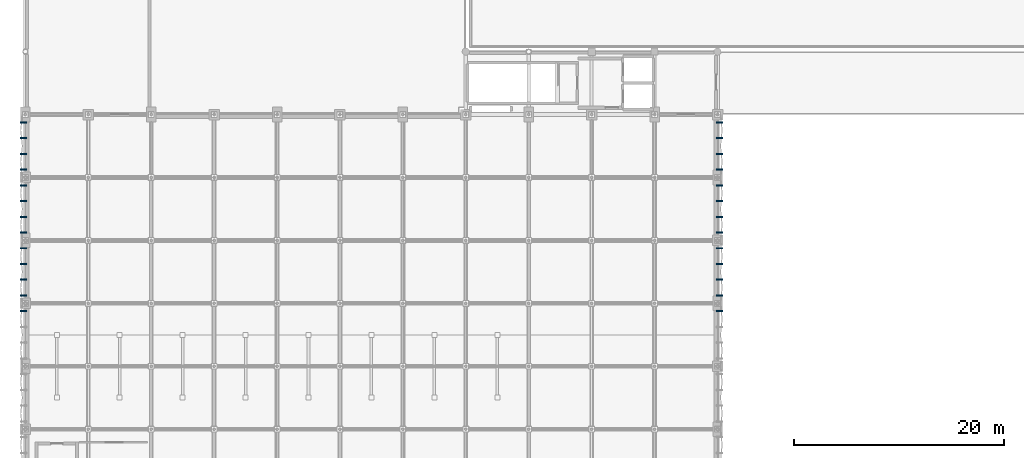
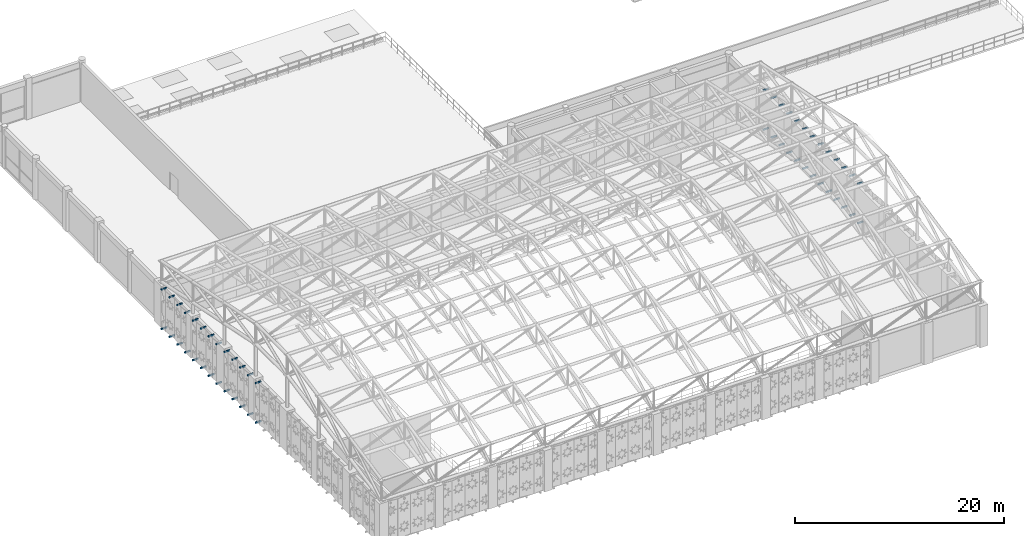
# One storey, part 104 of 112: 52 discrete accessories.
"""IFC4 building model written with IfcOpenShell, lengths in metres."""

from ifc_helpers import new_model, si_unit, direction, frame, origin, origin_2d, place, context, subcontext, project, spatial, rectangle, extrude, material, type_object, element, save


model = new_model("IFC4")

# Units and contexts
model_context = context("Model", 3, precision=1e-05, world=origin(), true_north=direction((0.0, 1.0)))
body_context = subcontext(model_context, "Body", "Model", "MODEL_VIEW")
ifc_project = project(units=[si_unit("LENGTHUNIT", "METRE"), si_unit("AREAUNIT", "SQUARE_METRE"), si_unit("VOLUMEUNIT", "CUBIC_METRE"), si_unit("PLANEANGLEUNIT", "RADIAN"), si_unit("MASSUNIT", "GRAM", prefix="KILO"), si_unit("THERMODYNAMICTEMPERATUREUNIT", "KELVIN"), si_unit("POWERUNIT", "WATT")], contexts=[model_context])

# Site, building, storey
site_placement = place(None, origin())
site = spatial("IfcSite", under=ifc_project, at=site_placement, CompositionType="ELEMENT")
building_placement = place(site_placement, origin())
building = spatial("IfcBuilding", under=site, at=building_placement, Name="Phaisarnlok Congress Hotel", CompositionType="ELEMENT")
storey_placement = place(building_placement, frame((0.0, 0.0, 19.800048828125)))
storey = spatial("IfcBuildingStorey", under=building, at=storey_placement, Name="L04", CompositionType="ELEMENT", Elevation=19.800048828125)

# Discrete accessories
ifc_material = material(Name="Steel S355", Category="steel")
discrete_accessory_type = type_object("IfcDiscreteAccessoryType", Name="ACC-BRK-STL", PredefinedType="BRACKET", material=ifc_material)
for number, where, z_axis, x_axis, name in (
    (1, (-0.183837890625, 65.25, -0.18017578125), (0.0, 0.0, 1.0), (1.0, 0.0, 0.0), "Solar screen steel outrigger bracket BK-01"),
    (2, (-0.183837890625, 65.25, 4.419921875), (0.0, 0.0, 1.0), (1.0, 0.0, 0.0), "Solar screen steel outrigger bracket BK-01"),
    (3, (-0.183837890625, 66.75, -0.18017578125), (0.0, 0.0, 1.0), (1.0, 0.0, 0.0), "Solar screen steel outrigger bracket BK-01"),
    (4, (-0.183837890625, 66.75, 4.419921875), (0.0, 0.0, 1.0), (1.0, 0.0, 0.0), "Solar screen steel outrigger bracket BK-01"),
    (5, (-0.183837890625, 68.25, -0.18017578125), (0.0, 0.0, 1.0), (1.0, 0.0, 0.0), "Solar screen steel outrigger bracket BK-01"),
    (6, (-0.183837890625, 68.25, 4.419921875), (0.0, 0.0, 1.0), (1.0, 0.0, 0.0), "Solar screen steel outrigger bracket BK-01"),
    (7, (-0.183837890625, 69.75, -0.18017578125), (0.0, 0.0, 1.0), (1.0, 0.0, 0.0), "Solar screen steel outrigger bracket BK-01"),
    (8, (-0.183837890625, 69.75, 4.419921875), (0.0, 0.0, 1.0), (1.0, 0.0, 0.0), "Solar screen steel outrigger bracket BK-01"),
    (9, (-0.183837890625, 71.25, -0.18017578125), (0.0, 0.0, 1.0), (1.0, 0.0, 0.0), "Solar screen steel outrigger bracket BK-01"),
    (10, (-0.183837890625, 71.25, 4.419921875), (0.0, 0.0, 1.0), (1.0, 0.0, 0.0), "Solar screen steel outrigger bracket BK-01"),
    (11, (-0.183837890625, 72.75, -0.18017578125), (0.0, 0.0, 1.0), (1.0, 0.0, 0.0), "Solar screen steel outrigger bracket BK-01"),
    (12, (-0.183837890625, 72.75, 4.419921875), (0.0, 0.0, 1.0), (1.0, 0.0, 0.0), "Solar screen steel outrigger bracket BK-01"),
    (13, (-0.183837890625, 74.25, -0.18017578125), (0.0, 0.0, 1.0), (1.0, 0.0, 0.0), "Solar screen steel outrigger bracket BK-01"),
    (14, (-0.183837890625, 74.25, 4.419921875), (0.0, 0.0, 1.0), (1.0, 0.0, 0.0), "Solar screen steel outrigger bracket BK-01"),
    (15, (-0.183837890625, 75.75, -0.18017578125), (0.0, 0.0, 1.0), (1.0, 0.0, 0.0), "Solar screen steel outrigger bracket BK-01"),
    (16, (-0.183837890625, 75.75, 4.419921875), (0.0, 0.0, 1.0), (1.0, 0.0, 0.0), "Solar screen steel outrigger bracket BK-01"),
    (17, (-0.183837890625, 77.25, -0.18017578125), (0.0, 0.0, 1.0), (1.0, 0.0, 0.0), "Solar screen steel outrigger bracket BK-01"),
    (18, (-0.183837890625, 77.25, 4.419921875), (0.0, 0.0, 1.0), (1.0, 0.0, 0.0), "Solar screen steel outrigger bracket BK-01"),
    (19, (-0.183837890625, 78.75, -0.18017578125), (0.0, 0.0, 1.0), (1.0, 0.0, 0.0), "Solar screen steel outrigger bracket BK-01"),
    (20, (-0.183837890625, 78.75, 4.419921875), (0.0, 0.0, 1.0), (1.0, 0.0, 0.0), "Solar screen steel outrigger bracket BK-01"),
    (21, (-0.183837890625, 80.25, -0.18017578125), (0.0, 0.0, 1.0), (1.0, 0.0, 0.0), "Solar screen steel outrigger bracket BK-01"),
    (22, (-0.183837890625, 80.25, 4.419921875), (0.0, 0.0, 1.0), (1.0, 0.0, 0.0), "Solar screen steel outrigger bracket BK-01"),
    (23, (-0.183837890625, 81.75, -0.18017578125), (0.0, 0.0, 1.0), (1.0, 0.0, 0.0), "Solar screen steel outrigger bracket BK-01"),
    (24, (-0.183837890625, 81.75, 4.419921875), (0.0, 0.0, 1.0), (1.0, 0.0, 0.0), "Solar screen steel outrigger bracket BK-01"),
    (25, (-0.183837890625, 83.25, -0.18017578125), (0.0, 0.0, 1.0), (1.0, 0.0, 0.0), "Solar screen steel outrigger bracket BK-01"),
    (26, (-0.183837890625, 83.25, 4.419921875), (0.0, 0.0, 1.0), (1.0, 0.0, 0.0), "Solar screen steel outrigger bracket BK-01"),
    (27, (66.183837890625, 65.25, -0.18017578125), (0.0, 0.0, 1.0), (1.0, 0.0, 0.0), "Solar screen steel outrigger bracket BK-01"),
    (28, (66.183837890625, 65.25, 4.419921875), (0.0, 0.0, 1.0), (1.0, 0.0, 0.0), "Solar screen steel outrigger bracket BK-01"),
    (29, (66.183837890625, 66.75, -0.18017578125), (0.0, 0.0, 1.0), (1.0, 0.0, 0.0), "Solar screen steel outrigger bracket BK-01"),
    (30, (66.183837890625, 66.75, 4.419921875), (0.0, 0.0, 1.0), (1.0, 0.0, 0.0), "Solar screen steel outrigger bracket BK-01"),
    (31, (66.183837890625, 68.25, -0.18017578125), (0.0, 0.0, 1.0), (1.0, 0.0, 0.0), "Solar screen steel outrigger bracket BK-01"),
    (32, (66.183837890625, 68.25, 4.419921875), (0.0, 0.0, 1.0), (1.0, 0.0, 0.0), "Solar screen steel outrigger bracket BK-01"),
    (33, (66.183837890625, 69.75, -0.18017578125), (0.0, 0.0, 1.0), (1.0, 0.0, 0.0), "Solar screen steel outrigger bracket BK-01"),
    (34, (66.183837890625, 69.75, 4.419921875), (0.0, 0.0, 1.0), (1.0, 0.0, 0.0), "Solar screen steel outrigger bracket BK-01"),
    (35, (66.183837890625, 71.25, -0.18017578125), (0.0, 0.0, 1.0), (1.0, 0.0, 0.0), "Solar screen steel outrigger bracket BK-01"),
    (36, (66.183837890625, 71.25, 4.419921875), (0.0, 0.0, 1.0), (1.0, 0.0, 0.0), "Solar screen steel outrigger bracket BK-01"),
    (37, (66.183837890625, 72.75, -0.18017578125), (0.0, 0.0, 1.0), (1.0, 0.0, 0.0), "Solar screen steel outrigger bracket BK-01"),
    (38, (66.183837890625, 72.75, 4.419921875), (0.0, 0.0, 1.0), (1.0, 0.0, 0.0), "Solar screen steel outrigger bracket BK-01"),
    (39, (66.183837890625, 74.25, -0.18017578125), (0.0, 0.0, 1.0), (1.0, 0.0, 0.0), "Solar screen steel outrigger bracket BK-01"),
    (40, (66.183837890625, 74.25, 4.419921875), (0.0, 0.0, 1.0), (1.0, 0.0, 0.0), "Solar screen steel outrigger bracket BK-01"),
    (41, (66.183837890625, 75.75, -0.18017578125), (0.0, 0.0, 1.0), (1.0, 0.0, 0.0), "Solar screen steel outrigger bracket BK-01"),
    (42, (66.183837890625, 75.75, 4.419921875), (0.0, 0.0, 1.0), (1.0, 0.0, 0.0), "Solar screen steel outrigger bracket BK-01"),
    (43, (66.183837890625, 77.25, -0.18017578125), (0.0, 0.0, 1.0), (1.0, 0.0, 0.0), "Solar screen steel outrigger bracket BK-01"),
    (44, (66.183837890625, 77.25, 4.419921875), (0.0, 0.0, 1.0), (1.0, 0.0, 0.0), "Solar screen steel outrigger bracket BK-01"),
    (45, (66.183837890625, 78.75, -0.18017578125), (0.0, 0.0, 1.0), (1.0, 0.0, 0.0), "Solar screen steel outrigger bracket BK-01"),
    (46, (66.183837890625, 78.75, 4.419921875), (0.0, 0.0, 1.0), (1.0, 0.0, 0.0), "Solar screen steel outrigger bracket BK-01"),
    (47, (66.183837890625, 80.25, -0.18017578125), (0.0, 0.0, 1.0), (1.0, 0.0, 0.0), "Solar screen steel outrigger bracket BK-01"),
    (48, (66.183837890625, 80.25, 4.419921875), (0.0, 0.0, 1.0), (1.0, 0.0, 0.0), "Solar screen steel outrigger bracket BK-01"),
    (49, (66.183837890625, 81.75, -0.18017578125), (0.0, 0.0, 1.0), (1.0, 0.0, 0.0), "Solar screen steel outrigger bracket BK-01"),
    (50, (66.183837890625, 81.75, 4.419921875), (0.0, 0.0, 1.0), (1.0, 0.0, 0.0), "Solar screen steel outrigger bracket BK-01"),
    (51, (66.183837890625, 83.25, -0.18017578125), (0.0, 0.0, 1.0), (1.0, 0.0, 0.0), "Solar screen steel outrigger bracket BK-01"),
    (52, (66.183837890625, 83.25, 4.419921875), (0.0, 0.0, 1.0), (1.0, 0.0, 0.0), "Solar screen steel outrigger bracket BK-01"),
):
    element("IfcDiscreteAccessory", number, at=place(storey_placement, frame(where, z_axis=z_axis, x_axis=x_axis)), inside=storey, type_object=discrete_accessory_type, Name=name, PredefinedType="BRACKET", context=body_context, shape_type="SweptSolid", body=[
        extrude(rectangle(XDim=0.647705078125, YDim=0.139892578125, at=origin_2d()), origin(), (0.0, 0.0, 1.0), 0.159912109375),
    ])

save(model, "model.ifc")
